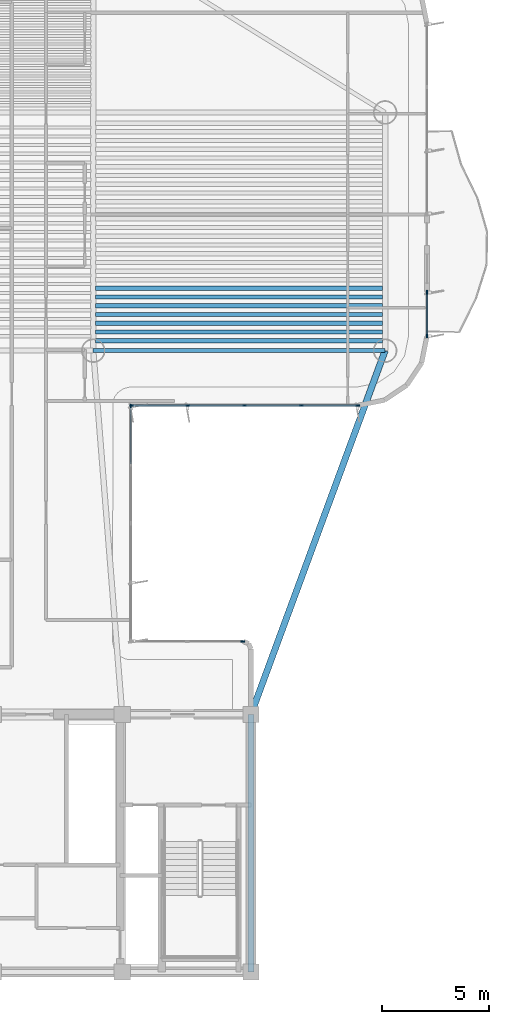
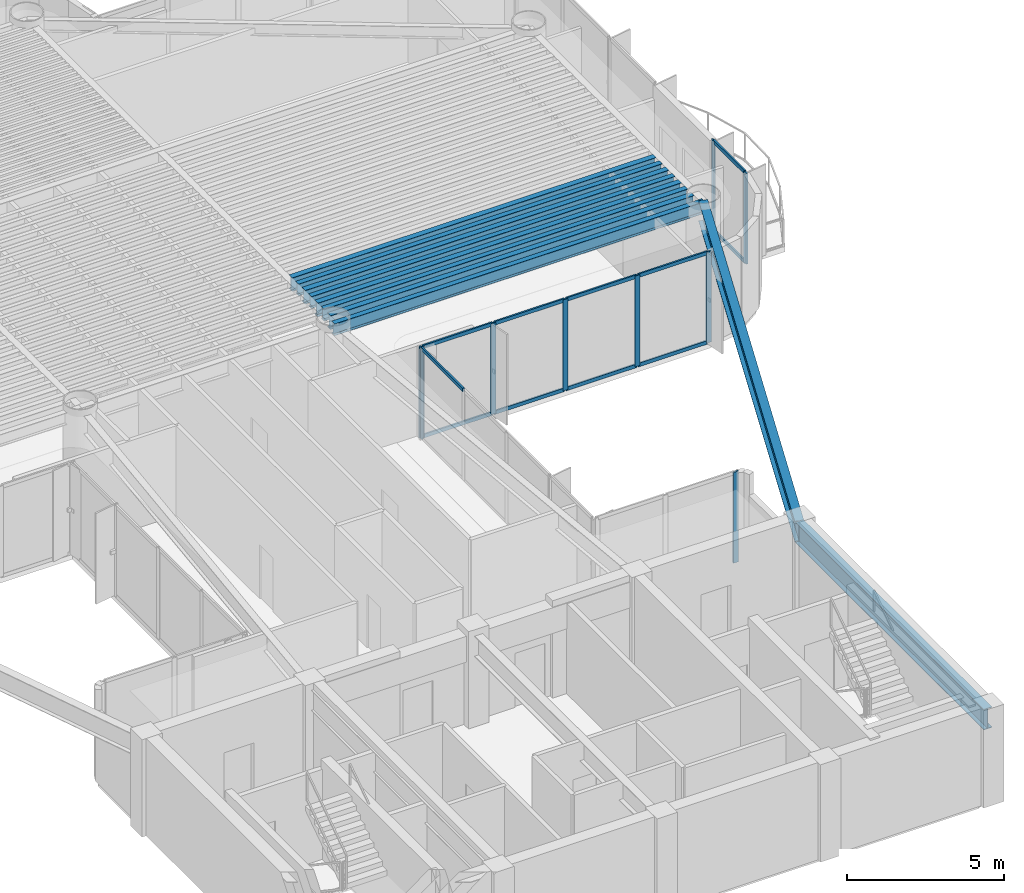
# One storey, part 4 of 15: 20 members, 10 beams, 4 elements without a shape of their own.
"""IFC4 building model written with IfcOpenShell, lengths in metres."""

from ifc_helpers import new_model, si_unit, direction, frame, origin, origin_2d, place, context, subcontext, project, spatial, rectangle, i_section, extrude, source, transform, mapped, material, layer, layer_set, material_profile, profile_set, type_object, element, aggregate, save


model = new_model("IFC4")

# Units and contexts
model_context = context("Model", 3, precision=1e-05, world=origin(), true_north=direction((0.0, 1.0)))
body_context = subcontext(model_context, "Body", "Model", "MODEL_VIEW")
ifc_project = project(units=[si_unit("LENGTHUNIT", "METRE"), si_unit("AREAUNIT", "SQUARE_METRE"), si_unit("VOLUMEUNIT", "CUBIC_METRE"), si_unit("PLANEANGLEUNIT", "RADIAN"), si_unit("MASSUNIT", "GRAM", prefix="KILO")], contexts=[model_context])

# Site, building, storey
site_placement = place(None, origin())
site = spatial("IfcSite", under=ifc_project, at=site_placement, CompositionType="ELEMENT")
building_placement = place(site_placement, origin())
building = spatial("IfcBuilding", under=site, at=building_placement, Name="Brelvock Crest Care Tower", CompositionType="ELEMENT")
storey_placement = place(building_placement, frame((0.0, 0.0, 163.97998046875)))
storey = spatial("IfcBuildingStorey", under=building, at=storey_placement, Name="L41", CompositionType="ELEMENT", Elevation=163.97998046875)

# Beams
ifc_material_1 = material(Name="Steel Grade 350", Category="steel")
ifc_material_profile_1 = material_profile(ifc_material_1, i_section(OverallWidth=0.300048828125, OverallDepth=0.800048828125, WebThickness=0.013916015625, FlangeThickness=0.02197265625, at=origin_2d()), Name="800WB192")
ifc_profile_set_1 = profile_set([ifc_material_profile_1], Name="Steel Grade 350")
beam_type_1 = type_object("IfcBeamType", Name="BM-G5", PredefinedType="BEAM", material=ifc_profile_set_1)
shared_shape_1 = source(origin(), body_context, "Body", "SweptSolid", [
    extrude(i_section(OverallWidth=0.300048828125, OverallDepth=0.800048828125, WebThickness=0.013916015625, FlangeThickness=0.02197265625, at=origin_2d()), origin(), (0.0, 0.0, 1.0), 12.0),
])
beam_1_placement = place(storey_placement, frame((48.0, 6.0, 3.130126953125), z_axis=(0.0, 1.0, 0.0), x_axis=(-1.0, 0.0, 0.0)))
element("IfcBeam", 1, at=beam_1_placement, inside=storey, type_object=beam_type_1, Name="BM-COREX-L41-5", PredefinedType="BEAM", context=body_context, shape_type="MappedRepresentation", body=[
    mapped(shared_shape_1, transform((0.0, 0.0, 0.0), x_axis=(1.0, 0.0, 0.0), y_axis=(0.0, 1.0, 0.0), z_axis=(0.0, 0.0, 1.0), scale=1.0)),
])
ifc_material_profile_2 = material_profile(ifc_material_1, i_section(OverallWidth=0.208984375, OverallDepth=0.532958984375, WebThickness=0.01025390625, FlangeThickness=0.015625, FilletRadius=0.013916015625, at=origin_2d()), Name="530UB92.4")
ifc_profile_set_2 = profile_set([ifc_material_profile_2], Name="Steel Grade 350")
beam_type_2 = type_object("IfcBeamType", Name="BM-G2", PredefinedType="BEAM", material=ifc_profile_set_2)
shared_shape_2 = source(origin(), body_context, "Body", "SweptSolid", [
    extrude(i_section(OverallWidth=0.208984375, OverallDepth=0.532958984375, WebThickness=0.01025390625, FlangeThickness=0.015625, FilletRadius=0.013916015625, at=origin_2d()), origin(), (0.0, 0.0, 1.0), 13.3701171875),
])
for number, where, z_axis, x_axis, name in (
    (2, (40.764892578125, 35.416259765625, 3.263427734375), (1.0, 0.0, 0.0), (0.0, 1.0, 0.0), "BM-JE-L41-1"),
    (3, (40.764892578125, 36.2265625, 3.263427734375), (1.0, 0.0, 0.0), (0.0, 1.0, 0.0), "BM-JE-L41-3"),
    (4, (40.764892578125, 37.036865234375, 3.263427734375), (1.0, 0.0, 0.0), (0.0, 1.0, 0.0), "BM-JE-L41-5"),
    (5, (40.764892578125, 37.84716796875, 3.263427734375), (1.0, 0.0, 0.0), (0.0, 1.0, 0.0), "BM-JE-L41-7"),
):
    element("IfcBeam", number, at=place(storey_placement, frame(where, z_axis=z_axis, x_axis=x_axis)), inside=storey, type_object=beam_type_2, Name=name, PredefinedType="BEAM", context=body_context, shape_type="MappedRepresentation", body=[
        mapped(shared_shape_2, transform((0.0, 0.0, 0.0), x_axis=(1.0, 0.0, 0.0), y_axis=(0.0, 1.0, 0.0), z_axis=(0.0, 0.0, 1.0), scale=1.0)),
    ])
ifc_material_profile_3 = material_profile(ifc_material_1, i_section(OverallWidth=0.19091796875, OverallDepth=0.4599609375, WebThickness=0.010009765625, FlangeThickness=0.01611328125, FilletRadius=0.011474609375, at=origin_2d()), Name="460UB82.1")
ifc_profile_set_3 = profile_set([ifc_material_profile_3], Name="Steel Grade 350")
beam_type_3 = type_object("IfcBeamType", Name="BM-G3", PredefinedType="BEAM", material=ifc_profile_set_3)
shared_shape_3 = source(origin(), body_context, "Body", "SweptSolid", [
    extrude(i_section(OverallWidth=0.19091796875, OverallDepth=0.4599609375, WebThickness=0.010009765625, FlangeThickness=0.01611328125, FilletRadius=0.011474609375, at=origin_2d()), origin(), (0.0, 0.0, 1.0), 13.3701171875),
])
for number, where, z_axis, x_axis, name in (
    (6, (40.764892578125, 35.8212890625, 3.300048828125), (1.0, 0.0, 0.0), (0.0, 1.0, 0.0), "BM-JE-L41-2"),
    (7, (40.764892578125, 36.631591796875, 3.300048828125), (1.0, 0.0, 0.0), (0.0, 1.0, 0.0), "BM-JE-L41-4"),
    (8, (40.764892578125, 37.44189453125, 3.300048828125), (1.0, 0.0, 0.0), (0.0, 1.0, 0.0), "BM-JE-L41-6"),
):
    element("IfcBeam", number, at=place(storey_placement, frame(where, z_axis=z_axis, x_axis=x_axis)), inside=storey, type_object=beam_type_3, Name=name, PredefinedType="BEAM", context=body_context, shape_type="MappedRepresentation", body=[
        mapped(shared_shape_3, transform((0.0, 0.0, 0.0), x_axis=(1.0, 0.0, 0.0), y_axis=(0.0, 1.0, 0.0), z_axis=(0.0, 0.0, 1.0), scale=1.0)),
    ])
ifc_material_profile_4 = material_profile(ifc_material_1, i_section(OverallWidth=0.19091796875, OverallDepth=0.4599609375, WebThickness=0.010009765625, FlangeThickness=0.01611328125, FilletRadius=0.011474609375, at=origin_2d()), Name="460UB82.1")
ifc_profile_set_4 = profile_set([ifc_material_profile_4], Name="Steel Grade 350")
beam_type_4 = type_object("IfcBeamType", Name="BM-SP2", PredefinedType="SPANDREL", material=ifc_profile_set_4)
shared_shape_4 = source(origin(), body_context, "Body", "SweptSolid", [
    extrude(i_section(OverallWidth=0.19091796875, OverallDepth=0.4599609375, WebThickness=0.010009765625, FlangeThickness=0.01611328125, FilletRadius=0.011474609375, at=origin_2d()), origin(), (0.0, 0.0, 1.0), 13.60009765625),
])
beam_2_placement = place(storey_placement, frame((40.64990234375, 34.949951171875, 3.300048828125), z_axis=(1.0, 0.0, 0.0), x_axis=(0.0, 1.0, 0.0)))
element("IfcBeam", 9, at=beam_2_placement, inside=storey, type_object=beam_type_4, Name="BM-TWR-L41-04", PredefinedType="SPANDREL", context=body_context, shape_type="MappedRepresentation", body=[
    mapped(shared_shape_4, transform((0.0, 0.0, 0.0), x_axis=(1.0, 0.0, 0.0), y_axis=(0.0, 1.0, 0.0), z_axis=(0.0, 0.0, 1.0), scale=1.0)),
])
shared_shape_5 = source(origin(), body_context, "Body", "SweptSolid", [
    extrude(i_section(OverallWidth=0.300048828125, OverallDepth=0.800048828125, WebThickness=0.013916015625, FlangeThickness=0.02197265625, at=origin_2d()), origin(), (0.0, 0.0, 1.0), 18.0654296875),
])
beam_3_placement = place(storey_placement, frame((48.0, 18.0, 3.130126953125), z_axis=(0.345962741309, 0.938248251597, 0.0), x_axis=(-0.938248251597, 0.345962741309, 0.0)))
element("IfcBeam", 10, at=beam_3_placement, inside=storey, type_object=beam_type_1, Name="BM-THRO-E-L41", PredefinedType="BEAM", context=body_context, shape_type="MappedRepresentation", body=[
    mapped(shared_shape_5, transform((0.0, 0.0, 0.0), x_axis=(1.0, 0.0, 0.0), y_axis=(0.0, 1.0, 0.0), z_axis=(0.0, 0.0, 1.0), scale=1.0)),
])

# Curtain wall, members
ifc_material_2 = material(Name="Dark Glass Double Glazed Low-E", Category="glass")
ifc_layer = layer(ifc_material_2, 0.22509765625, Name="CWS-4")
ifc_layer_set = layer_set([ifc_layer], Name="Dark Glass Double Glazed Low-E")
curtain_wall_type = type_object("IfcCurtainWallType", Name="CWS-4", PredefinedType="NOTDEFINED", material=ifc_layer_set)
curtain_wall_1_placement = place(storey_placement, origin())
curtain_wall_1 = element("IfcCurtainWall", 11, at=curtain_wall_1_placement, inside=storey, type_object=curtain_wall_type, Name="L41 Curtain Wall E39B", PredefinedType="NOTDEFINED")
ifc_material_3 = material(Name="Aluminium 6063-T6", Category="aluminium")
ifc_material_profile_5 = material_profile(ifc_material_3, rectangle(XDim=0.06005859375, YDim=0.179931640625, at=origin_2d()), Name="ALU60x180")
ifc_profile_set_5 = profile_set([ifc_material_profile_5], Name="Aluminium 6063-T6")
member_type_1 = type_object("IfcMemberType", Name="CWM-2", PredefinedType="MULLION", material=ifc_profile_set_5)
shared_shape_6 = source(origin(), body_context, "Body", "SweptSolid", [
    extrude(rectangle(XDim=0.06005859375, YDim=0.179931640625, at=origin_2d()), origin(), (0.0, 0.0, 1.0), 3.530029296875),
])
member_1_placement = place(storey_placement, frame((56.199951171875, 37.669921875, 0.0), z_axis=(0.0, 0.0, 1.0), x_axis=(1.0, 0.0, 0.0)))
member_1 = element("IfcMember", 12, at=member_1_placement, type_object=member_type_1, Name="CW-4 mullion 1", PredefinedType="MULLION", context=body_context, shape_type="MappedRepresentation", body=[
    mapped(shared_shape_6, transform((0.0, 0.0, 0.0), x_axis=(1.0, 0.0, 0.0), y_axis=(0.0, 1.0, 0.0), z_axis=(0.0, 0.0, 1.0), scale=1.0)),
])
member_2_placement = place(storey_placement, frame((56.199951171875, 35.6298828125, 0.0), z_axis=(0.0, 0.0, 1.0), x_axis=(1.0, 0.0, 0.0)))
member_2 = element("IfcMember", 13, at=member_2_placement, type_object=member_type_1, Name="CW-4 mullion 2", PredefinedType="MULLION", context=body_context, shape_type="MappedRepresentation", body=[
    mapped(shared_shape_6, transform((0.0, 0.0, 0.0), x_axis=(1.0, 0.0, 0.0), y_axis=(0.0, 1.0, 0.0), z_axis=(0.0, 0.0, 1.0), scale=1.0)),
])

curtain_wall_2_placement = place(storey_placement, origin())
curtain_wall_2 = element("IfcCurtainWall", 14, at=curtain_wall_2_placement, inside=storey, type_object=curtain_wall_type, Name="L41 Curtain Wall E44", PredefinedType="NOTDEFINED")
member_3_placement = place(storey_placement, frame((52.969970703125, 32.39990234375, 0.0), z_axis=(0.0, 0.0, 1.0), x_axis=(0.0, -1.0, 0.0)))
member_3 = element("IfcMember", 15, at=member_3_placement, type_object=member_type_1, Name="CW-4 mullion 1", PredefinedType="MULLION", context=body_context, shape_type="MappedRepresentation", body=[
    mapped(shared_shape_6, transform((0.0, 0.0, 0.0), x_axis=(1.0, 0.0, 0.0), y_axis=(0.0, 1.0, 0.0), z_axis=(0.0, 0.0, 1.0), scale=1.0)),
])
member_4_placement = place(storey_placement, frame((50.35009765625, 32.39990234375, 0.0), z_axis=(0.0, 0.0, 1.0), x_axis=(0.0, -1.0, 0.0)))
member_4 = element("IfcMember", 16, at=member_4_placement, type_object=member_type_1, Name="CW-4 mullion 2", PredefinedType="MULLION", context=body_context, shape_type="MappedRepresentation", body=[
    mapped(shared_shape_6, transform((0.0, 0.0, 0.0), x_axis=(1.0, 0.0, 0.0), y_axis=(0.0, 1.0, 0.0), z_axis=(0.0, 0.0, 1.0), scale=1.0)),
])
member_5_placement = place(storey_placement, frame((47.699951171875, 32.39990234375, 0.0), z_axis=(0.0, 0.0, 1.0), x_axis=(0.0, -1.0, 0.0)))
member_5 = element("IfcMember", 17, at=member_5_placement, type_object=member_type_1, Name="CW-4 mullion 3", PredefinedType="MULLION", context=body_context, shape_type="MappedRepresentation", body=[
    mapped(shared_shape_6, transform((0.0, 0.0, 0.0), x_axis=(1.0, 0.0, 0.0), y_axis=(0.0, 1.0, 0.0), z_axis=(0.0, 0.0, 1.0), scale=1.0)),
])
member_6_placement = place(storey_placement, frame((45.050048828125, 32.39990234375, 0.0), z_axis=(0.0, 0.0, 1.0), x_axis=(0.0, -1.0, 0.0)))
member_6 = element("IfcMember", 18, at=member_6_placement, type_object=member_type_1, Name="CW-4 mullion 4", PredefinedType="MULLION", context=body_context, shape_type="MappedRepresentation", body=[
    mapped(shared_shape_6, transform((0.0, 0.0, 0.0), x_axis=(1.0, 0.0, 0.0), y_axis=(0.0, 1.0, 0.0), z_axis=(0.0, 0.0, 1.0), scale=1.0)),
])
member_7_placement = place(storey_placement, frame((42.429931640625, 32.39990234375, 0.0), z_axis=(0.0, 0.0, 1.0), x_axis=(0.0, -1.0, 0.0)))
member_7 = element("IfcMember", 19, at=member_7_placement, type_object=member_type_1, Name="CW-4 mullion 5", PredefinedType="MULLION", context=body_context, shape_type="MappedRepresentation", body=[
    mapped(shared_shape_6, transform((0.0, 0.0, 0.0), x_axis=(1.0, 0.0, 0.0), y_axis=(0.0, 1.0, 0.0), z_axis=(0.0, 0.0, 1.0), scale=1.0)),
])

# Curtain wall, member
curtain_wall_3_placement = place(storey_placement, origin())
curtain_wall_3 = element("IfcCurtainWall", 20, at=curtain_wall_3_placement, inside=storey, type_object=curtain_wall_type, Name="L41 Curtain Wall E45", PredefinedType="NOTDEFINED")
member_8_placement = place(storey_placement, frame((42.39990234375, 32.3701171875, 0.0), z_axis=(0.0, 0.0, 1.0), x_axis=(1.0, 0.0, 0.0)))
member_8 = element("IfcMember", 21, at=member_8_placement, type_object=member_type_1, Name="CW-4 mullion 1", PredefinedType="MULLION", context=body_context, shape_type="MappedRepresentation", body=[
    mapped(shared_shape_6, transform((0.0, 0.0, 0.0), x_axis=(1.0, 0.0, 0.0), y_axis=(0.0, 1.0, 0.0), z_axis=(0.0, 0.0, 1.0), scale=1.0)),
])

curtain_wall_4_placement = place(storey_placement, origin())
curtain_wall_4 = element("IfcCurtainWall", 22, at=curtain_wall_4_placement, inside=storey, type_object=curtain_wall_type, Name="L41 Curtain Wall E46", PredefinedType="NOTDEFINED")
member_9_placement = place(storey_placement, frame((47.6201171875, 21.39990234375, 0.0), z_axis=(0.0, 0.0, 1.0), x_axis=(0.0, 1.0, 0.0)))
member_9 = element("IfcMember", 23, at=member_9_placement, type_object=member_type_1, Name="CW-4 mullion 3", PredefinedType="MULLION", context=body_context, shape_type="MappedRepresentation", body=[
    mapped(shared_shape_6, transform((0.0, 0.0, 0.0), x_axis=(1.0, 0.0, 0.0), y_axis=(0.0, 1.0, 0.0), z_axis=(0.0, 0.0, 1.0), scale=1.0)),
])
aggregate(curtain_wall_4, [member_9])

# Member
ifc_material_profile_6 = material_profile(ifc_material_3, rectangle(XDim=0.06005859375, YDim=0.139892578125, at=origin_2d()), Name="ALU60x140")
ifc_profile_set_6 = profile_set([ifc_material_profile_6], Name="Aluminium 6063-T6")
member_type_2 = type_object("IfcMemberType", Name="CWT-2", PredefinedType="USERDEFINED", material=ifc_profile_set_6)
shared_shape_7 = source(origin(), body_context, "Body", "SweptSolid", [
    extrude(rectangle(XDim=0.06005859375, YDim=0.139892578125, at=origin_2d()), origin(), (0.0, 0.0, 1.0), 2.66015625),
])
member_10_placement = place(storey_placement, frame((42.39990234375, 32.340087890625, 3.5), z_axis=(0.0, -1.0, 0.0), x_axis=(1.0, 0.0, 0.0)))
member_10 = element("IfcMember", 24, at=member_10_placement, type_object=member_type_2, Name="CW-4 transom 1.2", ObjectType="TRANSOM", PredefinedType="USERDEFINED", context=body_context, shape_type="MappedRepresentation", body=[
    mapped(shared_shape_7, transform((0.0, 0.0, 0.0), x_axis=(1.0, 0.0, 0.0), y_axis=(0.0, 1.0, 0.0), z_axis=(0.0, 0.0, 1.0), scale=1.0)),
])

aggregate(curtain_wall_3, [member_8, member_10])

shared_shape_8 = source(origin(), body_context, "Body", "SweptSolid", [
    extrude(rectangle(XDim=0.06005859375, YDim=0.139892578125, at=origin_2d()), origin(), (0.0, 0.0, 1.0), 2.56005859375),
])
member_11_placement = place(storey_placement, frame((52.93994140625, 32.39990234375, 0.030029296875), z_axis=(-1.0, 0.0, 0.0), x_axis=(0.0, -1.0, 0.0)))
member_11 = element("IfcMember", 25, at=member_11_placement, type_object=member_type_2, Name="CW-4 transom 1.1", ObjectType="TRANSOM", PredefinedType="USERDEFINED", context=body_context, shape_type="MappedRepresentation", body=[
    mapped(shared_shape_8, transform((0.0, 0.0, 0.0), x_axis=(1.0, 0.0, 0.0), y_axis=(0.0, 1.0, 0.0), z_axis=(0.0, 0.0, 1.0), scale=1.0)),
])

member_12_placement = place(storey_placement, frame((52.93994140625, 32.39990234375, 3.5), z_axis=(-1.0, 0.0, 0.0), x_axis=(0.0, -1.0, 0.0)))
member_12 = element("IfcMember", 26, at=member_12_placement, type_object=member_type_2, Name="CW-4 transom 1.2", ObjectType="TRANSOM", PredefinedType="USERDEFINED", context=body_context, shape_type="MappedRepresentation", body=[
    mapped(shared_shape_8, transform((0.0, 0.0, 0.0), x_axis=(1.0, 0.0, 0.0), y_axis=(0.0, 1.0, 0.0), z_axis=(0.0, 0.0, 1.0), scale=1.0)),
])

member_13_placement = place(storey_placement, frame((45.02001953125, 32.39990234375, 0.030029296875), z_axis=(-1.0, 0.0, 0.0), x_axis=(0.0, -1.0, 0.0)))
member_13 = element("IfcMember", 27, at=member_13_placement, type_object=member_type_2, Name="CW-4 transom 4.1", ObjectType="TRANSOM", PredefinedType="USERDEFINED", context=body_context, shape_type="MappedRepresentation", body=[
    mapped(shared_shape_8, transform((0.0, 0.0, 0.0), x_axis=(1.0, 0.0, 0.0), y_axis=(0.0, 1.0, 0.0), z_axis=(0.0, 0.0, 1.0), scale=1.0)),
])

member_14_placement = place(storey_placement, frame((45.02001953125, 32.39990234375, 3.5), z_axis=(-1.0, 0.0, 0.0), x_axis=(0.0, -1.0, 0.0)))
member_14 = element("IfcMember", 28, at=member_14_placement, type_object=member_type_2, Name="CW-4 transom 4.2", ObjectType="TRANSOM", PredefinedType="USERDEFINED", context=body_context, shape_type="MappedRepresentation", body=[
    mapped(shared_shape_8, transform((0.0, 0.0, 0.0), x_axis=(1.0, 0.0, 0.0), y_axis=(0.0, 1.0, 0.0), z_axis=(0.0, 0.0, 1.0), scale=1.0)),
])

shared_shape_9 = source(origin(), body_context, "Body", "SweptSolid", [
    extrude(rectangle(XDim=0.06005859375, YDim=0.139892578125, at=origin_2d()), origin(), (0.0, 0.0, 1.0), 2.58984375),
])
member_15_placement = place(storey_placement, frame((47.669921875, 32.39990234375, 0.030029296875), z_axis=(-1.0, 0.0, 0.0), x_axis=(0.0, -1.0, 0.0)))
member_15 = element("IfcMember", 29, at=member_15_placement, type_object=member_type_2, Name="CW-4 transom 3.1", ObjectType="TRANSOM", PredefinedType="USERDEFINED", context=body_context, shape_type="MappedRepresentation", body=[
    mapped(shared_shape_9, transform((0.0, 0.0, 0.0), x_axis=(1.0, 0.0, 0.0), y_axis=(0.0, 1.0, 0.0), z_axis=(0.0, 0.0, 1.0), scale=1.0)),
])

member_16_placement = place(storey_placement, frame((47.669921875, 32.39990234375, 3.5), z_axis=(-1.0, 0.0, 0.0), x_axis=(0.0, -1.0, 0.0)))
member_16 = element("IfcMember", 30, at=member_16_placement, type_object=member_type_2, Name="CW-4 transom 3.2", ObjectType="TRANSOM", PredefinedType="USERDEFINED", context=body_context, shape_type="MappedRepresentation", body=[
    mapped(shared_shape_9, transform((0.0, 0.0, 0.0), x_axis=(1.0, 0.0, 0.0), y_axis=(0.0, 1.0, 0.0), z_axis=(0.0, 0.0, 1.0), scale=1.0)),
])

shared_shape_10 = source(origin(), body_context, "Body", "SweptSolid", [
    extrude(rectangle(XDim=0.06005859375, YDim=0.139892578125, at=origin_2d()), origin(), (0.0, 0.0, 1.0), 2.590087890625),
])
member_17_placement = place(storey_placement, frame((50.320068359375, 32.39990234375, 0.030029296875), z_axis=(-1.0, 0.0, 0.0), x_axis=(0.0, -1.0, 0.0)))
member_17 = element("IfcMember", 31, at=member_17_placement, type_object=member_type_2, Name="CW-4 transom 2.1", ObjectType="TRANSOM", PredefinedType="USERDEFINED", context=body_context, shape_type="MappedRepresentation", body=[
    mapped(shared_shape_10, transform((0.0, 0.0, 0.0), x_axis=(1.0, 0.0, 0.0), y_axis=(0.0, 1.0, 0.0), z_axis=(0.0, 0.0, 1.0), scale=1.0)),
])

member_18_placement = place(storey_placement, frame((50.320068359375, 32.39990234375, 3.5), z_axis=(-1.0, 0.0, 0.0), x_axis=(0.0, -1.0, 0.0)))
member_18 = element("IfcMember", 32, at=member_18_placement, type_object=member_type_2, Name="CW-4 transom 2.2", ObjectType="TRANSOM", PredefinedType="USERDEFINED", context=body_context, shape_type="MappedRepresentation", body=[
    mapped(shared_shape_10, transform((0.0, 0.0, 0.0), x_axis=(1.0, 0.0, 0.0), y_axis=(0.0, 1.0, 0.0), z_axis=(0.0, 0.0, 1.0), scale=1.0)),
])

aggregate(curtain_wall_2, [member_3, member_4, member_5, member_6, member_7, member_11, member_12, member_17, member_18, member_15, member_16, member_13, member_14])

shared_shape_11 = source(origin(), body_context, "Body", "SweptSolid", [
    extrude(rectangle(XDim=0.06005859375, YDim=0.139892578125, at=origin_2d()), origin(), (0.0, 0.0, 1.0), 1.97998046875),
])
member_19_placement = place(storey_placement, frame((56.199951171875, 37.639892578125, 0.030029296875), z_axis=(0.0, -1.0, 0.0), x_axis=(1.0, 0.0, 0.0)))
member_19 = element("IfcMember", 33, at=member_19_placement, type_object=member_type_2, Name="CW-4 transom 1.1", ObjectType="TRANSOM", PredefinedType="USERDEFINED", context=body_context, shape_type="MappedRepresentation", body=[
    mapped(shared_shape_11, transform((0.0, 0.0, 0.0), x_axis=(1.0, 0.0, 0.0), y_axis=(0.0, 1.0, 0.0), z_axis=(0.0, 0.0, 1.0), scale=1.0)),
])

member_20_placement = place(storey_placement, frame((56.199951171875, 37.639892578125, 3.5), z_axis=(0.0, -1.0, 0.0), x_axis=(1.0, 0.0, 0.0)))
member_20 = element("IfcMember", 34, at=member_20_placement, type_object=member_type_2, Name="CW-4 transom 1.2", ObjectType="TRANSOM", PredefinedType="USERDEFINED", context=body_context, shape_type="MappedRepresentation", body=[
    mapped(shared_shape_11, transform((0.0, 0.0, 0.0), x_axis=(1.0, 0.0, 0.0), y_axis=(0.0, 1.0, 0.0), z_axis=(0.0, 0.0, 1.0), scale=1.0)),
])

aggregate(curtain_wall_1, [member_1, member_2, member_19, member_20])

save(model, "model.ifc")
